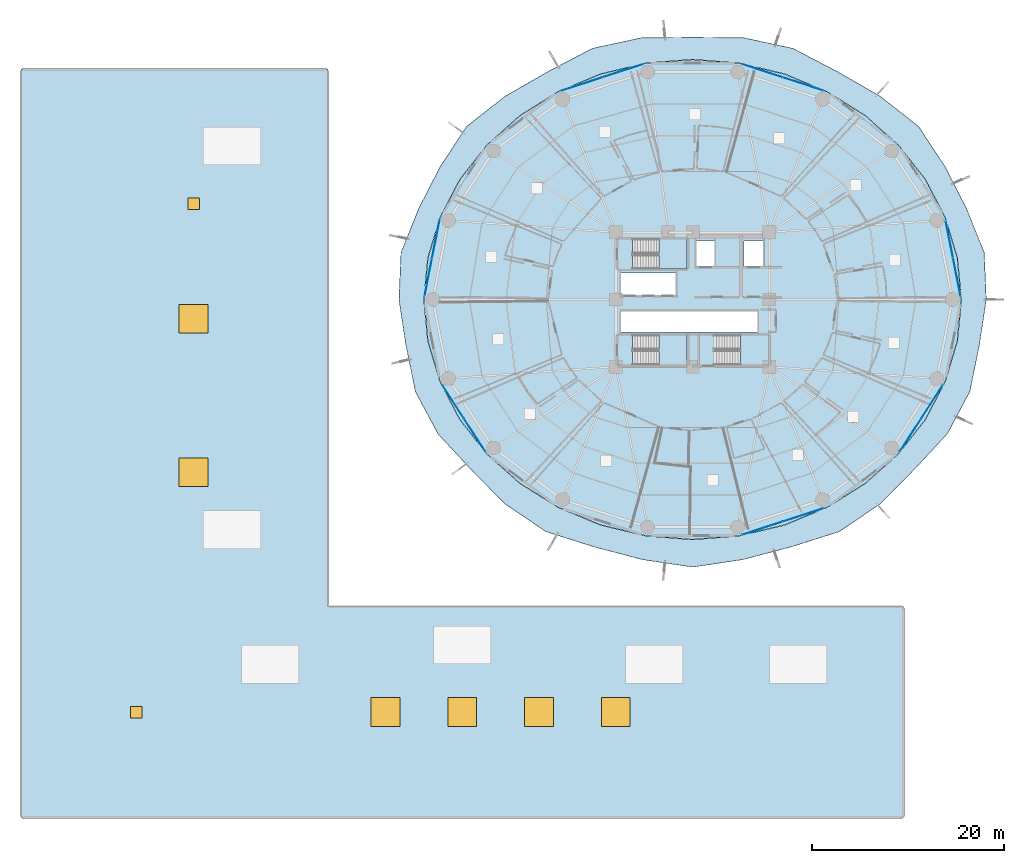
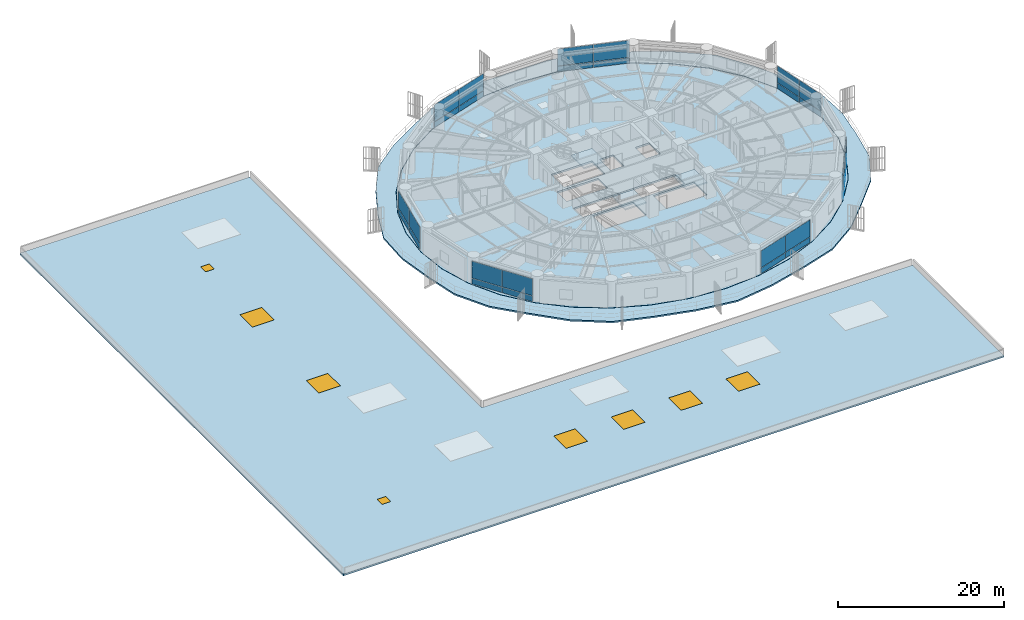
# One storey, part 22 of 35: 28 plates, 6 slabs, 6 windows, 2 doors, 8 openings, 10 elements without a shape of their own.
"""IFC4 building model written with IfcOpenShell, lengths in metres."""

from ifc_helpers import new_model, si_unit, direction, frame, origin, origin_2d, place, context, subcontext, project, spatial, polyline, rectangle, outline, extrude, source, transform, mapped, material, layer, layer_set, type_object, element, fill, aggregate, save


model = new_model("IFC4")

# Units and contexts
model_context = context("Model", 3, precision=1e-05, world=origin(), true_north=direction((0.0, 1.0)))
body_context = subcontext(model_context, "Body", "Model", "MODEL_VIEW")
ifc_project = project(units=[si_unit("LENGTHUNIT", "METRE"), si_unit("AREAUNIT", "SQUARE_METRE"), si_unit("VOLUMEUNIT", "CUBIC_METRE"), si_unit("PLANEANGLEUNIT", "RADIAN"), si_unit("MASSUNIT", "GRAM", prefix="KILO")], contexts=[model_context])

# Site, building, storey
site_placement = place(None, origin())
site = spatial("IfcSite", under=ifc_project, at=site_placement, CompositionType="ELEMENT")
building_placement = place(site_placement, origin())
building = spatial("IfcBuilding", under=site, at=building_placement, Name="Kelanora Arch Commons", CompositionType="ELEMENT")
storey_placement = place(building_placement, frame((0.0, 0.0, 22.5)))
storey = spatial("IfcBuildingStorey", under=building, at=storey_placement, Name="L05", CompositionType="ELEMENT", Elevation=22.5)

# Slab, openings, doors, windows
ifc_material_1 = material(Name="Concrete C40/50", Category="concrete")
ifc_layer_1 = layer(ifc_material_1, 0.239990234375)
ifc_layer_set_1 = layer_set([ifc_layer_1], Name="Concrete C40/50")
slab_type_1 = type_object("IfcSlabType", Name="SLB-MKT-ROOF", PredefinedType="ROOF", material=ifc_layer_set_1)
slab_1_placement = place(storey_placement, frame((0.0, 0.0, -0.239990234375)))
slab_1 = element("IfcSlab", 1, at=slab_1_placement, inside=storey, type_object=slab_type_1, Name="Market Hall Structural Roof Deck", PredefinedType="ROOF", context=body_context, shape_type="SweptSolid", body=[
    extrude(outline(polyline([(4.0, 4.0), (96.0, 4.0), (96.0, 26.0), (36.0, 26.0), (36.0, 82.0), (4.0, 82.0), (4.0, 4.0)])), origin(), (0.0, 0.0, 1.0), 0.239990234375),
])
opening_1_placement = place(slab_1_placement, frame((42.0, 15.0, 0.0)))
opening_1 = element("IfcOpeningElement", 2, at=opening_1_placement, cuts=slab_1, Name="Opening WS-01", PredefinedType="OPENING", context=body_context, shape_type="SweptSolid", body=[
    extrude(rectangle(XDim=3.0, YDim=3.0, at=origin_2d()), frame((0.0, 0.0, -0.010009765625)), (0.0, 0.0, 1.0), 0.260009765625),
])
opening_2_placement = place(slab_1_placement, frame((50.0, 15.0, 0.0)))
opening_2 = element("IfcOpeningElement", 3, at=opening_2_placement, cuts=slab_1, Name="Opening WS-01", PredefinedType="OPENING", context=body_context, shape_type="SweptSolid", body=[
    extrude(rectangle(XDim=3.0, YDim=3.0, at=origin_2d()), frame((0.0, 0.0, -0.010009765625)), (0.0, 0.0, 1.0), 0.260009765625),
])
opening_3_placement = place(slab_1_placement, frame((58.0, 15.0, 0.0)))
opening_3 = element("IfcOpeningElement", 4, at=opening_3_placement, cuts=slab_1, Name="Opening WS-01", PredefinedType="OPENING", context=body_context, shape_type="SweptSolid", body=[
    extrude(rectangle(XDim=3.0, YDim=3.0, at=origin_2d()), frame((0.0, 0.0, -0.010009765625)), (0.0, 0.0, 1.0), 0.260009765625),
])
opening_4_placement = place(slab_1_placement, frame((66.0, 15.0, 0.0)))
opening_4 = element("IfcOpeningElement", 5, at=opening_4_placement, cuts=slab_1, Name="Opening WS-01", PredefinedType="OPENING", context=body_context, shape_type="SweptSolid", body=[
    extrude(rectangle(XDim=3.0, YDim=3.0, at=origin_2d()), frame((0.0, 0.0, -0.010009765625)), (0.0, 0.0, 1.0), 0.260009765625),
])
opening_5_placement = place(slab_1_placement, frame((22.0, 40.0, 0.0)))
opening_5 = element("IfcOpeningElement", 6, at=opening_5_placement, cuts=slab_1, Name="Opening WS-01", PredefinedType="OPENING", context=body_context, shape_type="SweptSolid", body=[
    extrude(rectangle(XDim=3.0, YDim=3.0, at=origin_2d()), frame((0.0, 0.0, -0.010009765625)), (0.0, 0.0, 1.0), 0.260009765625),
])
opening_6_placement = place(slab_1_placement, frame((22.0, 56.0, 0.0)))
opening_6 = element("IfcOpeningElement", 7, at=opening_6_placement, cuts=slab_1, Name="Opening WS-01", PredefinedType="OPENING", context=body_context, shape_type="SweptSolid", body=[
    extrude(rectangle(XDim=3.0, YDim=3.0, at=origin_2d()), frame((0.0, 0.0, -0.010009765625)), (0.0, 0.0, 1.0), 0.260009765625),
])
opening_7_placement = place(slab_1_placement, frame((16.0, 15.0, 0.0)))
opening_7 = element("IfcOpeningElement", 8, at=opening_7_placement, cuts=slab_1, Name="Opening DH-01", PredefinedType="OPENING", context=body_context, shape_type="SweptSolid", body=[
    extrude(rectangle(XDim=1.199951171875, YDim=1.199951171875, at=origin_2d()), frame((0.0, 0.0, -0.010009765625)), (0.0, 0.0, 1.0), 0.260009765625),
])
opening_8_placement = place(slab_1_placement, frame((22.0, 68.0, 0.0)))
opening_8 = element("IfcOpeningElement", 9, at=opening_8_placement, cuts=slab_1, Name="Opening DH-01", PredefinedType="OPENING", context=body_context, shape_type="SweptSolid", body=[
    extrude(rectangle(XDim=1.199951171875, YDim=1.199951171875, at=origin_2d()), frame((0.0, 0.0, -0.010009765625)), (0.0, 0.0, 1.0), 0.260009765625),
])
ifc_material_2 = material(Name="Insulated aluminium weatherproof roof access hatch", Category="aluminium")
door_type = type_object("IfcDoorType", Name="D-HATCH-12", OperationType="NOTDEFINED", PredefinedType="TRAPDOOR", material=ifc_material_2)
door_1_placement = place(opening_7_placement, frame((0.0, 0.0, 0.18994140625)))
door_1 = element("IfcDoor", 10, at=door_1_placement, inside=storey, type_object=door_type, Name="Market Roof Maintenance Hatch 1", OperationType="SINGLE_SWING_LEFT", OverallHeight=1.199951171875, OverallWidth=1.199951171875, PredefinedType="TRAPDOOR", context=body_context, shape_type="SweptSolid", body=[
    extrude(rectangle(XDim=1.199951171875, YDim=1.199951171875, at=origin_2d()), origin(), (0.0, 0.0, 1.0), 0.050048828125),
])
fill(opening_7, door_1)
door_2_placement = place(opening_8_placement, frame((0.0, 0.0, 0.18994140625)))
door_2 = element("IfcDoor", 11, at=door_2_placement, inside=storey, type_object=door_type, Name="Market Roof Maintenance Hatch 2", OperationType="SINGLE_SWING_LEFT", OverallHeight=1.199951171875, OverallWidth=1.199951171875, PredefinedType="TRAPDOOR", context=body_context, shape_type="SweptSolid", body=[
    extrude(rectangle(XDim=1.199951171875, YDim=1.199951171875, at=origin_2d()), origin(), (0.0, 0.0, 1.0), 0.050048828125),
])
fill(opening_8, door_2)
ifc_material_3 = material(Name="Laminated solar-control glass skylight", Category="glass")
window_type = type_object("IfcWindowType", Name="WIN-SKY-30", PartitioningType="SINGLE_PANEL", PredefinedType="SKYLIGHT", material=ifc_material_3)
window_1_placement = place(opening_1_placement, frame((0.0, 0.0, 0.18994140625)))
window_1 = element("IfcWindow", 12, at=window_1_placement, inside=storey, type_object=window_type, Name="Market Hall Atrium Skylight 01", OverallHeight=3.0, OverallWidth=3.0, PartitioningType="SINGLE_PANEL", PredefinedType="SKYLIGHT", context=body_context, shape_type="SweptSolid", body=[
    extrude(rectangle(XDim=3.0, YDim=3.0, at=origin_2d()), origin(), (0.0, 0.0, 1.0), 0.050048828125),
])
fill(opening_1, window_1)
window_2_placement = place(opening_2_placement, frame((0.0, 0.0, 0.18994140625)))
window_2 = element("IfcWindow", 13, at=window_2_placement, inside=storey, type_object=window_type, Name="Market Hall Atrium Skylight 02", OverallHeight=3.0, OverallWidth=3.0, PartitioningType="SINGLE_PANEL", PredefinedType="SKYLIGHT", context=body_context, shape_type="SweptSolid", body=[
    extrude(rectangle(XDim=3.0, YDim=3.0, at=origin_2d()), origin(), (0.0, 0.0, 1.0), 0.050048828125),
])
fill(opening_2, window_2)
window_3_placement = place(opening_3_placement, frame((0.0, 0.0, 0.18994140625)))
window_3 = element("IfcWindow", 14, at=window_3_placement, inside=storey, type_object=window_type, Name="Market Hall Atrium Skylight 03", OverallHeight=3.0, OverallWidth=3.0, PartitioningType="SINGLE_PANEL", PredefinedType="SKYLIGHT", context=body_context, shape_type="SweptSolid", body=[
    extrude(rectangle(XDim=3.0, YDim=3.0, at=origin_2d()), origin(), (0.0, 0.0, 1.0), 0.050048828125),
])
fill(opening_3, window_3)
window_4_placement = place(opening_4_placement, frame((0.0, 0.0, 0.18994140625)))
window_4 = element("IfcWindow", 15, at=window_4_placement, inside=storey, type_object=window_type, Name="Market Hall Atrium Skylight 04", OverallHeight=3.0, OverallWidth=3.0, PartitioningType="SINGLE_PANEL", PredefinedType="SKYLIGHT", context=body_context, shape_type="SweptSolid", body=[
    extrude(rectangle(XDim=3.0, YDim=3.0, at=origin_2d()), origin(), (0.0, 0.0, 1.0), 0.050048828125),
])
fill(opening_4, window_4)
window_5_placement = place(opening_5_placement, frame((0.0, 0.0, 0.18994140625)))
window_5 = element("IfcWindow", 16, at=window_5_placement, inside=storey, type_object=window_type, Name="Market Hall Atrium Skylight 05", OverallHeight=3.0, OverallWidth=3.0, PartitioningType="SINGLE_PANEL", PredefinedType="SKYLIGHT", context=body_context, shape_type="SweptSolid", body=[
    extrude(rectangle(XDim=3.0, YDim=3.0, at=origin_2d()), origin(), (0.0, 0.0, 1.0), 0.050048828125),
])
fill(opening_5, window_5)
window_6_placement = place(opening_6_placement, frame((0.0, 0.0, 0.18994140625)))
window_6 = element("IfcWindow", 17, at=window_6_placement, inside=storey, type_object=window_type, Name="Market Hall Atrium Skylight 06", OverallHeight=3.0, OverallWidth=3.0, PartitioningType="SINGLE_PANEL", PredefinedType="SKYLIGHT", context=body_context, shape_type="SweptSolid", body=[
    extrude(rectangle(XDim=3.0, YDim=3.0, at=origin_2d()), origin(), (0.0, 0.0, 1.0), 0.050048828125),
])
fill(opening_6, window_6)

# Stair, slab
stair_type = type_object("IfcStairType", Name="STR-DL-375", PredefinedType="HALF_TURN_STAIR", material=ifc_material_1)
stair_1_placement = place(storey_placement, origin())
stair_1 = element("IfcStair", 18, at=stair_1_placement, inside=storey, type_object=stair_type, Name="L05 ST-T1", PredefinedType="HALF_TURN_STAIR")
ifc_layer_2 = layer(ifc_material_1, 0.199951171875)
ifc_layer_set_2 = layer_set([ifc_layer_2], Name="Concrete C40/50")
slab_type_2 = type_object("IfcSlabType", Name="SLB-STAIR-LND", PredefinedType="LANDING", material=ifc_layer_set_2)
slab_2_placement = place(storey_placement, frame((0.0, 0.0, 1.675048828125)))
slab_2 = element("IfcSlab", 19, at=slab_2_placement, type_object=slab_type_2, Name="ST-T1 landing 1", PredefinedType="LANDING", context=body_context, shape_type="SweptSolid", body=[
    extrude(outline(polyline([(70.52001953125, 61.179931640625), (73.43994140625, 61.179931640625), (73.43994140625, 64.2900390625), (70.52001953125, 64.2900390625), (70.52001953125, 61.179931640625)])), origin(), (0.0, 0.0, 1.0), 0.199951171875),
])
aggregate(stair_1, [slab_2])

stair_2_placement = place(storey_placement, origin())
stair_2 = element("IfcStair", 20, at=stair_2_placement, inside=storey, type_object=stair_type, Name="L05 ST-T2", PredefinedType="HALF_TURN_STAIR")
slab_3_placement = place(storey_placement, frame((0.0, 0.0, 1.675048828125)))
slab_3 = element("IfcSlab", 21, at=slab_3_placement, type_object=slab_type_2, Name="ST-T2 landing 1", PredefinedType="LANDING", context=body_context, shape_type="SweptSolid", body=[
    extrude(outline(polyline([(79.0, 51.179931640625), (81.919921875, 51.179931640625), (81.919921875, 54.2900390625), (79.0, 54.2900390625), (79.0, 51.179931640625)])), origin(), (0.0, 0.0, 1.0), 0.199951171875),
])
aggregate(stair_2, [slab_3])

stair_3_placement = place(storey_placement, origin())
stair_3 = element("IfcStair", 22, at=stair_3_placement, inside=storey, type_object=stair_type, Name="L05 ST-T3", PredefinedType="HALF_TURN_STAIR")
slab_4_placement = place(storey_placement, frame((0.0, 0.0, 1.675048828125)))
slab_4 = element("IfcSlab", 23, at=slab_4_placement, type_object=slab_type_2, Name="ST-T3 landing 1", PredefinedType="LANDING", context=body_context, shape_type="SweptSolid", body=[
    extrude(outline(polyline([(70.52001953125, 51.179931640625), (73.43994140625, 51.179931640625), (73.43994140625, 54.2900390625), (70.52001953125, 54.2900390625), (70.52001953125, 51.179931640625)])), origin(), (0.0, 0.0, 1.0), 0.199951171875),
])
aggregate(stair_3, [slab_4])

# Slabs
ifc_layer_3 = layer(ifc_material_1, 0.260009765625)
ifc_layer_set_3 = layer_set([ifc_layer_3], Name="Concrete C40/50")
slab_type_3 = type_object("IfcSlabType", Name="SLB-TWR-TYP", PredefinedType="FLOOR", material=ifc_layer_set_3)
slab_5_placement = place(storey_placement, frame((0.0, 0.0, -0.260009765625)))
element("IfcSlab", 24, at=slab_5_placement, inside=storey, type_object=slab_type_3, Name="Tower Floor Slab L05", PredefinedType="FLOOR", context=body_context, shape_type="SweptSolid", body=[
    extrude(outline(polyline([(102.0, 58.0), (101.57470703125, 62.34130859375), (100.311279296875, 66.550537109375), (98.248779296875, 70.5), (95.44921875, 74.069580078125), (91.998046875, 77.151123046875), (88.0, 79.650634765625), (83.57666015625, 81.4921875), (78.862060546875, 82.6201171875), (74.0, 83.0), (69.137939453125, 82.6201171875), (64.42333984375, 81.4921875), (60.0, 79.650634765625), (56.001953125, 77.151123046875), (52.55078125, 74.069580078125), (49.751220703125, 70.5), (47.688720703125, 66.550537109375), (46.42529296875, 62.34130859375), (46.0, 58.0), (46.42529296875, 53.65869140625), (47.688720703125, 49.449462890625), (49.751220703125, 45.5), (52.55078125, 41.930419921875), (56.001953125, 38.848876953125), (60.0, 36.349365234375), (64.42333984375, 34.5078125), (69.137939453125, 33.3798828125), (74.0, 33.0), (78.862060546875, 33.3798828125), (83.57666015625, 34.5078125), (88.0, 36.349365234375), (91.998046875, 38.848876953125), (95.44921875, 41.930419921875), (98.248779296875, 45.5), (100.311279296875, 49.449462890625), (101.57470703125, 53.65869140625), (102.0, 58.0)]), holes=[polyline([(73.431884765625, 51.18798828125), (67.72802734375, 51.18798828125), (67.72802734375, 54.281982421875), (73.431884765625, 54.281982421875), (73.431884765625, 51.18798828125)]), polyline([(76.2080078125, 51.18798828125), (76.2080078125, 54.281982421875), (81.912109375, 54.281982421875), (81.912109375, 51.18798828125), (76.2080078125, 51.18798828125)]), polyline([(66.550048828125, 54.60009765625), (66.550048828125, 56.800048828125), (80.75, 56.800048828125), (80.75, 54.60009765625), (66.550048828125, 54.60009765625)]), polyline([(66.550048828125, 58.449951171875), (66.550048828125, 60.75), (72.25, 60.75), (72.25, 58.449951171875), (66.550048828125, 58.449951171875)]), polyline([(67.72802734375, 61.18798828125), (67.72802734375, 64.281982421875), (73.431884765625, 64.281982421875), (73.431884765625, 61.18798828125), (67.72802734375, 61.18798828125)]), polyline([(74.3798828125, 61.47998046875), (74.3798828125, 64.1201171875), (76.260009765625, 64.1201171875), (76.260009765625, 61.47998046875), (74.3798828125, 61.47998046875)]), polyline([(79.3798828125, 61.47998046875), (79.3798828125, 64.1201171875), (81.320068359375, 64.1201171875), (81.320068359375, 61.47998046875), (79.3798828125, 61.47998046875)])]), origin(), (0.0, 0.0, 1.0), 0.260009765625),
])
ifc_layer_4 = layer(ifc_material_1, 0.219970703125)
ifc_layer_set_4 = layer_set([ifc_layer_4], Name="Concrete C40/50")
slab_type_4 = type_object("IfcSlabType", Name="SLB-WAVE-BAL", PredefinedType="FLOOR", material=ifc_layer_set_4)
slab_6_placement = place(storey_placement, frame((0.0, 0.0, -0.219970703125)))
element("IfcSlab", 25, at=slab_6_placement, inside=storey, type_object=slab_type_4, Name="Sinusoidal Wave Balcony Slab L05", PredefinedType="FLOOR", context=body_context, shape_type="SweptSolid", body=[
    extrude(outline(polyline([(104.6201171875, 58.0), (104.403076171875, 62.89990234375), (102.57080078125, 67.4716796875), (100.331298828125, 71.8466796875), (97.559326171875, 76.052734375), (93.539794921875, 79.208984375), (89.08935546875, 81.763916015625), (84.45263671875, 84.18798828125), (79.284423828125, 85.302978515625), (74.0, 85.340087890625), (68.715576171875, 85.302978515625), (63.54736328125, 84.18798828125), (58.91064453125, 81.763916015625), (54.460205078125, 79.208984375), (50.440673828125, 76.052734375), (47.668701171875, 71.8466796875), (45.42919921875, 67.4716796875), (43.596923828125, 62.89990234375), (43.3798828125, 58.0), (44.11328125, 53.2021484375), (45.095703125, 48.392578125), (47.43359375, 44.001220703125), (50.842529296875, 40.324951171875), (54.40185546875, 36.713134765625), (58.6884765625, 33.804931640625), (63.679931640625, 32.219970703125), (68.745361328125, 30.88623046875), (74.0, 30.10009765625), (79.254638671875, 30.88623046875), (84.320068359375, 32.219970703125), (89.3115234375, 33.804931640625), (93.59814453125, 36.713134765625), (97.157470703125, 40.324951171875), (100.56640625, 44.001220703125), (102.904296875, 48.392578125), (103.88671875, 53.2021484375), (104.6201171875, 58.0)]), holes=[polyline([(101.59423828125, 53.6552734375), (100.330078125, 49.442626953125), (98.26611328125, 45.489990234375), (95.464599609375, 41.91748046875), (92.010986328125, 38.83349609375), (88.010009765625, 36.33203125), (83.58349609375, 34.489013671875), (78.865478515625, 33.360107421875), (74.0, 32.97998046875), (69.134521484375, 33.360107421875), (64.41650390625, 34.489013671875), (59.989990234375, 36.33203125), (55.989013671875, 38.83349609375), (52.535400390625, 41.91748046875), (49.73388671875, 45.489990234375), (47.669921875, 49.442626953125), (46.40576171875, 53.6552734375), (45.97998046875, 58.0), (46.40576171875, 62.3447265625), (47.669921875, 66.557373046875), (49.73388671875, 70.510009765625), (52.535400390625, 74.08251953125), (55.989013671875, 77.16650390625), (59.989990234375, 79.66796875), (64.41650390625, 81.510986328125), (69.134521484375, 82.639892578125), (74.0, 83.02001953125), (78.865478515625, 82.639892578125), (83.58349609375, 81.510986328125), (88.010009765625, 79.66796875), (92.010986328125, 77.16650390625), (95.464599609375, 74.08251953125), (98.26611328125, 70.510009765625), (100.330078125, 66.557373046875), (101.59423828125, 62.3447265625), (102.02001953125, 58.0), (101.59423828125, 53.6552734375)])]), origin(), (0.0, 0.0, 1.0), 0.219970703125),
])

# Curtain wall, plates
ifc_material_4 = material(Name="Terracotta ceramic-fritted low-E glass and aluminium", Category="masonry")
ifc_layer_5 = layer(ifc_material_4, 0.159912109375)
ifc_layer_set_5 = layer_set([ifc_layer_5], Name="Terracotta ceramic-fritted low-E glass and aluminium")
curtain_wall_type = type_object("IfcCurtainWallType", Name="CW-SYS-01", PredefinedType="NOTDEFINED", material=ifc_layer_set_5)
curtain_wall_1_placement = place(storey_placement, origin())
curtain_wall_1 = element("IfcCurtainWall", 26, at=curtain_wall_1_placement, inside=storey, type_object=curtain_wall_type, Name="Unitised Curtain Wall L05-B00", PredefinedType="NOTDEFINED")
ifc_material_5 = material(Name="Terracotta ceramic-fritted double glazing", Category="masonry")
ifc_layer_6 = layer(ifc_material_5, 0.028076171875)
ifc_layer_set_6 = layer_set([ifc_layer_6], Name="Terracotta ceramic-fritted double glazing")
plate_type = type_object("IfcPlateType", Name="CWP-FRIT", PredefinedType="CURTAIN_PANEL", material=ifc_layer_set_6)
shared_shape_1 = source(origin(), body_context, "Body", "SweptSolid", [
    extrude(rectangle(XDim=3.9482421875, YDim=0.028076171875, at=origin_2d()), origin(), (0.0, 0.0, 1.0), 0.81005859375),
])
plate_1_placement = place(storey_placement, frame((101.536865234375, 60.34521484375, 0.06005859375), z_axis=(0.0, 0.0, 1.0), x_axis=(-0.193744048498, 0.981052110579, 0.0)))
plate_1 = element("IfcPlate", 27, at=plate_1_placement, type_object=plate_type, Name="CW-01 panel 1.1", PredefinedType="CURTAIN_PANEL", context=body_context, shape_type="MappedRepresentation", body=[
    mapped(shared_shape_1, transform((0.0, 0.0, 0.0), scale=1.0)),
])
plate_2_placement = place(storey_placement, frame((100.76025390625, 64.277587890625, 0.06005859375), z_axis=(0.0, 0.0, 1.0), x_axis=(-0.193744048498, 0.981052110579, 0.0)))
plate_2 = element("IfcPlate", 28, at=plate_2_placement, type_object=plate_type, Name="CW-01 panel 2.1", PredefinedType="CURTAIN_PANEL", context=body_context, shape_type="MappedRepresentation", body=[
    mapped(shared_shape_1, transform((0.0, 0.0, 0.0), scale=1.0)),
])

curtain_wall_2_placement = place(storey_placement, origin())
curtain_wall_2 = element("IfcCurtainWall", 29, at=curtain_wall_2_placement, inside=storey, type_object=curtain_wall_type, Name="Unitised Curtain Wall L05-B08", PredefinedType="NOTDEFINED")
plate_3_placement = place(storey_placement, frame((47.23974609375, 64.277587890625, 0.06005859375), z_axis=(0.0, 0.0, 1.0), x_axis=(-0.193744048498, -0.981052110579, 0.0)))
plate_3 = element("IfcPlate", 30, at=plate_3_placement, type_object=plate_type, Name="CW-01 panel 1.1", PredefinedType="CURTAIN_PANEL", context=body_context, shape_type="MappedRepresentation", body=[
    mapped(shared_shape_1, transform((0.0, 0.0, 0.0), scale=1.0)),
])
plate_4_placement = place(storey_placement, frame((46.463134765625, 60.34521484375, 0.06005859375), z_axis=(0.0, 0.0, 1.0), x_axis=(-0.193744048498, -0.981052110579, 0.0)))
plate_4 = element("IfcPlate", 31, at=plate_4_placement, type_object=plate_type, Name="CW-01 panel 2.1", PredefinedType="CURTAIN_PANEL", context=body_context, shape_type="MappedRepresentation", body=[
    mapped(shared_shape_1, transform((0.0, 0.0, 0.0), scale=1.0)),
])

# Plate
shared_shape_2 = source(origin(), body_context, "Body", "SweptSolid", [
    extrude(rectangle(XDim=3.9482421875, YDim=0.028076171875, at=origin_2d()), origin(), (0.0, 0.0, 1.0), 2.485107421875),
])
plate_5_placement = place(storey_placement, frame((101.536865234375, 60.34521484375, 0.93017578125), z_axis=(0.0, 0.0, 1.0), x_axis=(-0.193744048498, 0.981052110579, 0.0)))
plate_5 = element("IfcPlate", 32, at=plate_5_placement, type_object=plate_type, Name="CW-01 panel 1.2", PredefinedType="CURTAIN_PANEL", context=body_context, shape_type="MappedRepresentation", body=[
    mapped(shared_shape_2, transform((0.0, 0.0, 0.0), scale=1.0)),
])

plate_6_placement = place(storey_placement, frame((100.76025390625, 64.277587890625, 0.93017578125), z_axis=(0.0, 0.0, 1.0), x_axis=(-0.193744048498, 0.981052110579, 0.0)))
plate_6 = element("IfcPlate", 33, at=plate_6_placement, type_object=plate_type, Name="CW-01 panel 2.2", PredefinedType="CURTAIN_PANEL", context=body_context, shape_type="MappedRepresentation", body=[
    mapped(shared_shape_2, transform((0.0, 0.0, 0.0), scale=1.0)),
])

aggregate(curtain_wall_1, [plate_1, plate_5, plate_2, plate_6])

plate_7_placement = place(storey_placement, frame((47.23974609375, 64.277587890625, 0.93017578125), z_axis=(0.0, 0.0, 1.0), x_axis=(-0.193744048498, -0.981052110579, 0.0)))
plate_7 = element("IfcPlate", 34, at=plate_7_placement, type_object=plate_type, Name="CW-01 panel 1.2", PredefinedType="CURTAIN_PANEL", context=body_context, shape_type="MappedRepresentation", body=[
    mapped(shared_shape_2, transform((0.0, 0.0, 0.0), scale=1.0)),
])

plate_8_placement = place(storey_placement, frame((46.463134765625, 60.34521484375, 0.93017578125), z_axis=(0.0, 0.0, 1.0), x_axis=(-0.193744048498, -0.981052110579, 0.0)))
plate_8 = element("IfcPlate", 35, at=plate_8_placement, type_object=plate_type, Name="CW-01 panel 2.2", PredefinedType="CURTAIN_PANEL", context=body_context, shape_type="MappedRepresentation", body=[
    mapped(shared_shape_2, transform((0.0, 0.0, 0.0), scale=1.0)),
])

aggregate(curtain_wall_2, [plate_3, plate_7, plate_4, plate_8])

# Curtain wall, plates
curtain_wall_3_placement = place(storey_placement, origin())
curtain_wall_3 = element("IfcCurtainWall", 36, at=curtain_wall_3_placement, inside=storey, type_object=curtain_wall_type, Name="Unitised Curtain Wall L05-B03", PredefinedType="NOTDEFINED")
shared_shape_3 = source(origin(), body_context, "Body", "SweptSolid", [
    extrude(rectangle(XDim=4.39453125, YDim=0.028076171875, at=origin_2d()), origin(), (0.0, 0.0, 1.0), 0.81005859375),
])
plate_9_placement = place(storey_placement, frame((85.4892578125, 80.466552734375, 0.06005859375), z_axis=(0.0, 0.0, 1.0), x_axis=(-0.951043326793, 0.30905758454, 0.0)))
plate_9 = element("IfcPlate", 37, at=plate_9_placement, type_object=plate_type, Name="CW-01 panel 1.1", PredefinedType="CURTAIN_PANEL", context=body_context, shape_type="MappedRepresentation", body=[
    mapped(shared_shape_3, transform((0.0, 0.0, 0.0), scale=1.0)),
])
plate_10_placement = place(storey_placement, frame((81.252685546875, 81.84326171875, 0.06005859375), z_axis=(0.0, 0.0, 1.0), x_axis=(-0.951043326793, 0.30905758454, 0.0)))
plate_10 = element("IfcPlate", 38, at=plate_10_placement, type_object=plate_type, Name="CW-01 panel 2.1", PredefinedType="CURTAIN_PANEL", context=body_context, shape_type="MappedRepresentation", body=[
    mapped(shared_shape_3, transform((0.0, 0.0, 0.0), scale=1.0)),
])

curtain_wall_4_placement = place(storey_placement, origin())
curtain_wall_4 = element("IfcCurtainWall", 39, at=curtain_wall_4_placement, inside=storey, type_object=curtain_wall_type, Name="Unitised Curtain Wall L05-B05", PredefinedType="NOTDEFINED")
plate_11_placement = place(storey_placement, frame((66.747314453125, 81.84326171875, 0.06005859375), z_axis=(0.0, 0.0, 1.0), x_axis=(-0.951043326793, -0.30905758454, 0.0)))
plate_11 = element("IfcPlate", 40, at=plate_11_placement, type_object=plate_type, Name="CW-01 panel 1.1", PredefinedType="CURTAIN_PANEL", context=body_context, shape_type="MappedRepresentation", body=[
    mapped(shared_shape_3, transform((0.0, 0.0, 0.0), scale=1.0)),
])
plate_12_placement = place(storey_placement, frame((62.5107421875, 80.466552734375, 0.06005859375), z_axis=(0.0, 0.0, 1.0), x_axis=(-0.951043326793, -0.30905758454, 0.0)))
plate_12 = element("IfcPlate", 41, at=plate_12_placement, type_object=plate_type, Name="CW-01 panel 2.1", PredefinedType="CURTAIN_PANEL", context=body_context, shape_type="MappedRepresentation", body=[
    mapped(shared_shape_3, transform((0.0, 0.0, 0.0), scale=1.0)),
])

curtain_wall_5_placement = place(storey_placement, origin())
curtain_wall_5 = element("IfcCurtainWall", 42, at=curtain_wall_5_placement, inside=storey, type_object=curtain_wall_type, Name="Unitised Curtain Wall L05-B14", PredefinedType="NOTDEFINED")
plate_13_placement = place(storey_placement, frame((81.252685546875, 34.15673828125, 0.06005859375), z_axis=(0.0, 0.0, 1.0), x_axis=(0.951043326793, 0.30905758454, 0.0)))
plate_13 = element("IfcPlate", 43, at=plate_13_placement, type_object=plate_type, Name="CW-01 panel 1.1", PredefinedType="CURTAIN_PANEL", context=body_context, shape_type="MappedRepresentation", body=[
    mapped(shared_shape_3, transform((0.0, 0.0, 0.0), scale=1.0)),
])
plate_14_placement = place(storey_placement, frame((85.4892578125, 35.533447265625, 0.06005859375), z_axis=(0.0, 0.0, 1.0), x_axis=(0.951043326793, 0.30905758454, 0.0)))
plate_14 = element("IfcPlate", 44, at=plate_14_placement, type_object=plate_type, Name="CW-01 panel 2.1", PredefinedType="CURTAIN_PANEL", context=body_context, shape_type="MappedRepresentation", body=[
    mapped(shared_shape_3, transform((0.0, 0.0, 0.0), scale=1.0)),
])

# Plate
shared_shape_4 = source(origin(), body_context, "Body", "SweptSolid", [
    extrude(rectangle(XDim=4.39453125, YDim=0.028076171875, at=origin_2d()), origin(), (0.0, 0.0, 1.0), 2.485107421875),
])
plate_15_placement = place(storey_placement, frame((85.4892578125, 80.466552734375, 0.93017578125), z_axis=(0.0, 0.0, 1.0), x_axis=(-0.951043326793, 0.30905758454, 0.0)))
plate_15 = element("IfcPlate", 45, at=plate_15_placement, type_object=plate_type, Name="CW-01 panel 1.2", PredefinedType="CURTAIN_PANEL", context=body_context, shape_type="MappedRepresentation", body=[
    mapped(shared_shape_4, transform((0.0, 0.0, 0.0), scale=1.0)),
])

plate_16_placement = place(storey_placement, frame((81.252685546875, 81.84326171875, 0.93017578125), z_axis=(0.0, 0.0, 1.0), x_axis=(-0.951043326793, 0.30905758454, 0.0)))
plate_16 = element("IfcPlate", 46, at=plate_16_placement, type_object=plate_type, Name="CW-01 panel 2.2", PredefinedType="CURTAIN_PANEL", context=body_context, shape_type="MappedRepresentation", body=[
    mapped(shared_shape_4, transform((0.0, 0.0, 0.0), scale=1.0)),
])

aggregate(curtain_wall_3, [plate_9, plate_15, plate_10, plate_16])

plate_17_placement = place(storey_placement, frame((66.747314453125, 81.84326171875, 0.93017578125), z_axis=(0.0, 0.0, 1.0), x_axis=(-0.951043326793, -0.30905758454, 0.0)))
plate_17 = element("IfcPlate", 47, at=plate_17_placement, type_object=plate_type, Name="CW-01 panel 1.2", PredefinedType="CURTAIN_PANEL", context=body_context, shape_type="MappedRepresentation", body=[
    mapped(shared_shape_4, transform((0.0, 0.0, 0.0), scale=1.0)),
])

plate_18_placement = place(storey_placement, frame((62.5107421875, 80.466552734375, 0.93017578125), z_axis=(0.0, 0.0, 1.0), x_axis=(-0.951043326793, -0.30905758454, 0.0)))
plate_18 = element("IfcPlate", 48, at=plate_18_placement, type_object=plate_type, Name="CW-01 panel 2.2", PredefinedType="CURTAIN_PANEL", context=body_context, shape_type="MappedRepresentation", body=[
    mapped(shared_shape_4, transform((0.0, 0.0, 0.0), scale=1.0)),
])

aggregate(curtain_wall_4, [plate_11, plate_17, plate_12, plate_18])

plate_19_placement = place(storey_placement, frame((81.252685546875, 34.15673828125, 0.93017578125), z_axis=(0.0, 0.0, 1.0), x_axis=(0.951043326793, 0.30905758454, 0.0)))
plate_19 = element("IfcPlate", 49, at=plate_19_placement, type_object=plate_type, Name="CW-01 panel 1.2", PredefinedType="CURTAIN_PANEL", context=body_context, shape_type="MappedRepresentation", body=[
    mapped(shared_shape_4, transform((0.0, 0.0, 0.0), scale=1.0)),
])

plate_20_placement = place(storey_placement, frame((85.4892578125, 35.533447265625, 0.93017578125), z_axis=(0.0, 0.0, 1.0), x_axis=(0.951043326793, 0.30905758454, 0.0)))
plate_20 = element("IfcPlate", 50, at=plate_20_placement, type_object=plate_type, Name="CW-01 panel 2.2", PredefinedType="CURTAIN_PANEL", context=body_context, shape_type="MappedRepresentation", body=[
    mapped(shared_shape_4, transform((0.0, 0.0, 0.0), scale=1.0)),
])

aggregate(curtain_wall_5, [plate_13, plate_19, plate_14, plate_20])

# Curtain wall, plates
curtain_wall_6_placement = place(storey_placement, origin())
curtain_wall_6 = element("IfcCurtainWall", 51, at=curtain_wall_6_placement, inside=storey, type_object=curtain_wall_type, Name="Unitised Curtain Wall L05-B10", PredefinedType="NOTDEFINED")
shared_shape_5 = source(origin(), body_context, "Body", "SweptSolid", [
    extrude(rectangle(XDim=4.06787109375, YDim=0.028076171875, at=origin_2d()), origin(), (0.0, 0.0, 1.0), 0.81005859375),
])
plate_21_placement = place(storey_placement, frame((49.04833984375, 47.346435546875, 0.06005859375), z_axis=(0.0, 0.0, 1.0), x_axis=(0.543004441812, -0.83972982332, 0.0)))
plate_21 = element("IfcPlate", 52, at=plate_21_placement, type_object=plate_type, Name="CW-01 panel 1.1", PredefinedType="CURTAIN_PANEL", context=body_context, shape_type="MappedRepresentation", body=[
    mapped(shared_shape_5, transform((0.0, 0.0, 0.0), scale=1.0)),
])
plate_22_placement = place(storey_placement, frame((51.289794921875, 43.880126953125, 0.06005859375), z_axis=(0.0, 0.0, 1.0), x_axis=(0.543004441812, -0.83972982332, 0.0)))
plate_22 = element("IfcPlate", 53, at=plate_22_placement, type_object=plate_type, Name="CW-01 panel 2.1", PredefinedType="CURTAIN_PANEL", context=body_context, shape_type="MappedRepresentation", body=[
    mapped(shared_shape_5, transform((0.0, 0.0, 0.0), scale=1.0)),
])

curtain_wall_7_placement = place(storey_placement, origin())
curtain_wall_7 = element("IfcCurtainWall", 54, at=curtain_wall_7_placement, inside=storey, type_object=curtain_wall_type, Name="Unitised Curtain Wall L05-B16", PredefinedType="NOTDEFINED")
plate_23_placement = place(storey_placement, frame((96.710205078125, 43.880126953125, 0.06005859375), z_axis=(0.0, 0.0, 1.0), x_axis=(0.543004441812, 0.83972982332, 0.0)))
plate_23 = element("IfcPlate", 55, at=plate_23_placement, type_object=plate_type, Name="CW-01 panel 1.1", PredefinedType="CURTAIN_PANEL", context=body_context, shape_type="MappedRepresentation", body=[
    mapped(shared_shape_5, transform((0.0, 0.0, 0.0), scale=1.0)),
])
plate_24_placement = place(storey_placement, frame((98.95166015625, 47.346435546875, 0.06005859375), z_axis=(0.0, 0.0, 1.0), x_axis=(0.543004441812, 0.83972982332, 0.0)))
plate_24 = element("IfcPlate", 56, at=plate_24_placement, type_object=plate_type, Name="CW-01 panel 2.1", PredefinedType="CURTAIN_PANEL", context=body_context, shape_type="MappedRepresentation", body=[
    mapped(shared_shape_5, transform((0.0, 0.0, 0.0), scale=1.0)),
])

# Plate
shared_shape_6 = source(origin(), body_context, "Body", "SweptSolid", [
    extrude(rectangle(XDim=4.06787109375, YDim=0.028076171875, at=origin_2d()), origin(), (0.0, 0.0, 1.0), 2.485107421875),
])
plate_25_placement = place(storey_placement, frame((49.04833984375, 47.346435546875, 0.93017578125), z_axis=(0.0, 0.0, 1.0), x_axis=(0.543004441812, -0.83972982332, 0.0)))
plate_25 = element("IfcPlate", 57, at=plate_25_placement, type_object=plate_type, Name="CW-01 panel 1.2", PredefinedType="CURTAIN_PANEL", context=body_context, shape_type="MappedRepresentation", body=[
    mapped(shared_shape_6, transform((0.0, 0.0, 0.0), scale=1.0)),
])

plate_26_placement = place(storey_placement, frame((51.289794921875, 43.880126953125, 0.93017578125), z_axis=(0.0, 0.0, 1.0), x_axis=(0.543004441812, -0.83972982332, 0.0)))
plate_26 = element("IfcPlate", 58, at=plate_26_placement, type_object=plate_type, Name="CW-01 panel 2.2", PredefinedType="CURTAIN_PANEL", context=body_context, shape_type="MappedRepresentation", body=[
    mapped(shared_shape_6, transform((0.0, 0.0, 0.0), scale=1.0)),
])

aggregate(curtain_wall_6, [plate_21, plate_25, plate_22, plate_26])

plate_27_placement = place(storey_placement, frame((96.710205078125, 43.880126953125, 0.93017578125), z_axis=(0.0, 0.0, 1.0), x_axis=(0.543004441812, 0.83972982332, 0.0)))
plate_27 = element("IfcPlate", 59, at=plate_27_placement, type_object=plate_type, Name="CW-01 panel 1.2", PredefinedType="CURTAIN_PANEL", context=body_context, shape_type="MappedRepresentation", body=[
    mapped(shared_shape_6, transform((0.0, 0.0, 0.0), scale=1.0)),
])

plate_28_placement = place(storey_placement, frame((98.95166015625, 47.346435546875, 0.93017578125), z_axis=(0.0, 0.0, 1.0), x_axis=(0.543004441812, 0.83972982332, 0.0)))
plate_28 = element("IfcPlate", 60, at=plate_28_placement, type_object=plate_type, Name="CW-01 panel 2.2", PredefinedType="CURTAIN_PANEL", context=body_context, shape_type="MappedRepresentation", body=[
    mapped(shared_shape_6, transform((0.0, 0.0, 0.0), scale=1.0)),
])

aggregate(curtain_wall_7, [plate_23, plate_27, plate_24, plate_28])

save(model, "model.ifc")
